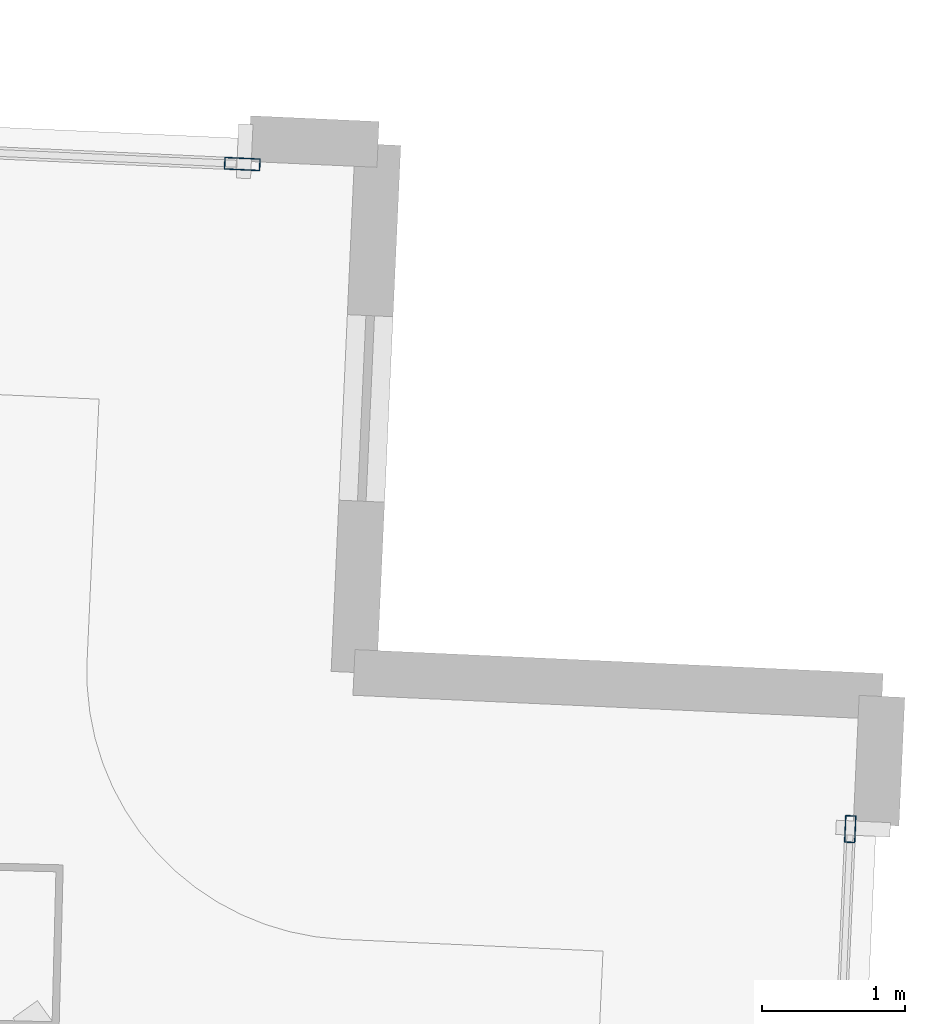
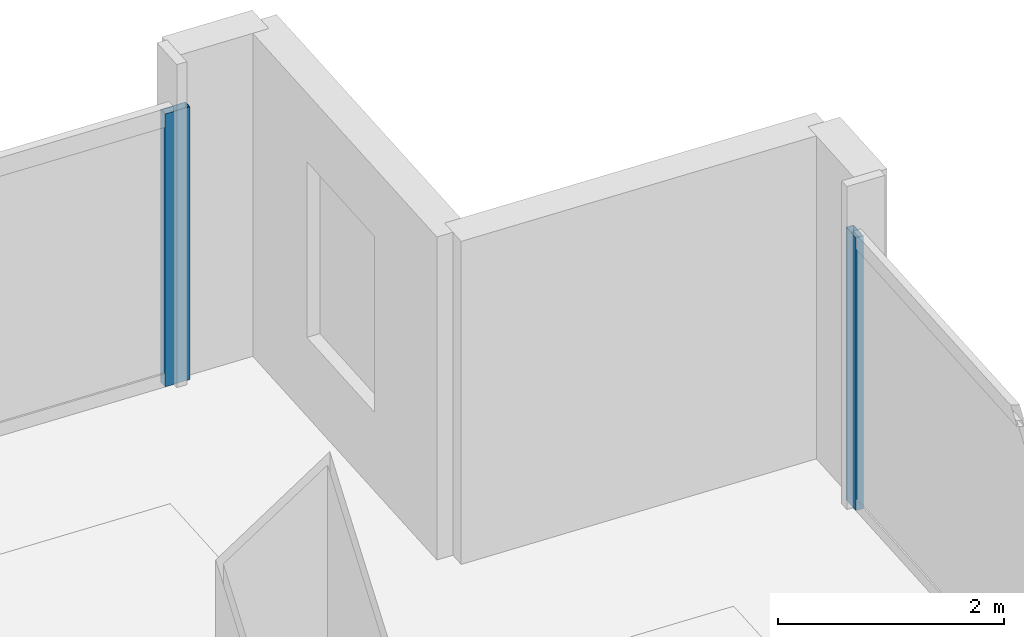
# One storey, part 18 of 26: 2 members, 2 elements without a shape of their own.
"""IFC4 building model written with IfcOpenShell, lengths in metres."""

from ifc_helpers import new_model, si_unit, direction, frame, origin, origin_2d, place, context, subcontext, project, spatial, hollow_rectangle, extrude, material, material_profile, profile_set, type_object, element, aggregate, save


model = new_model("IFC4")

# Units and contexts
model_context = context("Model", 3, precision=1e-05, world=origin(), true_north=direction((0.0, 1.0)))
body_context = subcontext(model_context, "Body", "Model", "MODEL_VIEW")
ifc_project = project(units=[si_unit("LENGTHUNIT", "METRE"), si_unit("AREAUNIT", "SQUARE_METRE"), si_unit("VOLUMEUNIT", "CUBIC_METRE"), si_unit("PLANEANGLEUNIT", "RADIAN"), si_unit("MASSUNIT", "GRAM", prefix="KILO")], contexts=[model_context])

# Site, building, storey
site_placement = place(None, origin())
site = spatial("IfcSite", under=ifc_project, at=site_placement, CompositionType="ELEMENT")
building_placement = place(site_placement, origin())
building = spatial("IfcBuilding", under=site, at=building_placement, Name="Haldenkirk Collegiate Tower", CompositionType="ELEMENT")
storey_placement = place(building_placement, frame((0.0, 0.0, 321.449951171875)))
storey = spatial("IfcBuildingStorey", under=building, at=storey_placement, Name="L81", CompositionType="ELEMENT", Elevation=321.449951171875)

# Curtain wall, member
ifc_material = material(Name="Anodised architectural bronze aluminium", Category="aluminium")
curtain_wall_type_1 = type_object("IfcCurtainWallType", Name="CW-SYS2-CONCAVE", PredefinedType="USERDEFINED", material=ifc_material)
curtain_wall_1_placement = place(storey_placement, origin())
curtain_wall_1 = element("IfcCurtainWall", 1, at=curtain_wall_1_placement, inside=storey, type_object=curtain_wall_type_1, Name="L81 South concave recessed bronze-anodised curtain wall", ObjectType="UNITISED CURTAIN WALL", PredefinedType="USERDEFINED")
ifc_material_profile_1 = material_profile(ifc_material, hollow_rectangle(XDim=0.074951171875, YDim=0.18994140625, WallThickness=0.0048828125, at=origin_2d()), Name="CW-MUL-02")
ifc_profile_set_1 = profile_set([ifc_material_profile_1], Name="Anodised architectural bronze aluminium")
member_type_1 = type_object("IfcMemberType", Name="CW-MUL-02", PredefinedType="MULLION", material=ifc_profile_set_1)
member_1_placement = place(storey_placement, frame((58.912109375, 42.9404296875, 0.0), z_axis=(0.0, 0.0, 1.0), x_axis=(0.998970520939, -0.045364063906, 0.0)))
member_1 = element("IfcMember", 2, at=member_1_placement, type_object=member_type_1, Name="CW-02 mullion 1", PredefinedType="MULLION", context=body_context, shape_type="SweptSolid", body=[
    extrude(hollow_rectangle(XDim=0.074951171875, YDim=0.18994140625, WallThickness=0.0048828125, at=origin_2d()), origin(), (0.0, 0.0, 1.0), 2.947998046875),
])
aggregate(curtain_wall_1, [member_1])

curtain_wall_type_2 = type_object("IfcCurtainWallType", Name="CW-SYS1B-CONVEX-HI", PredefinedType="USERDEFINED", material=ifc_material)
curtain_wall_2_placement = place(storey_placement, origin())
curtain_wall_2 = element("IfcCurtainWall", 3, at=curtain_wall_2_placement, inside=storey, type_object=curtain_wall_type_2, Name="L81 Upper tower high-wind convex bronze unitised curtain wall", ObjectType="UNITISED CURTAIN WALL", PredefinedType="USERDEFINED")
ifc_material_profile_2 = material_profile(ifc_material, hollow_rectangle(XDim=0.0849609375, YDim=0.25, WallThickness=0.0048828125, at=origin_2d()), Name="CW-MUL-1B")
ifc_profile_set_2 = profile_set([ifc_material_profile_2], Name="Anodised architectural bronze aluminium")
member_type_2 = type_object("IfcMemberType", Name="CW-MUL-1B", PredefinedType="MULLION", material=ifc_profile_set_2)
member_2_placement = place(storey_placement, frame((54.65625, 47.595947265625, 0.0), z_axis=(0.0, 0.0, 1.0), x_axis=(0.045364478326, 0.99897050212, 0.0)))
member_2 = element("IfcMember", 4, at=member_2_placement, type_object=member_type_2, Name="CW-1B mullion 4", PredefinedType="MULLION", context=body_context, shape_type="SweptSolid", body=[
    extrude(hollow_rectangle(XDim=0.0849609375, YDim=0.25, WallThickness=0.0048828125, at=origin_2d()), origin(), (0.0, 0.0, 1.0), 2.947998046875),
])
aggregate(curtain_wall_2, [member_2])

save(model, "model.ifc")
